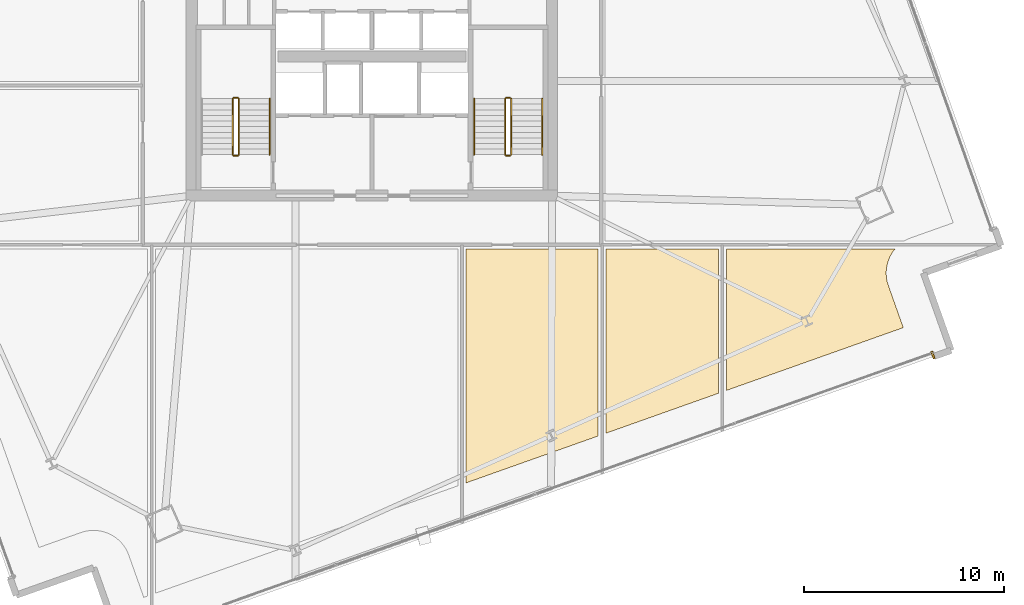
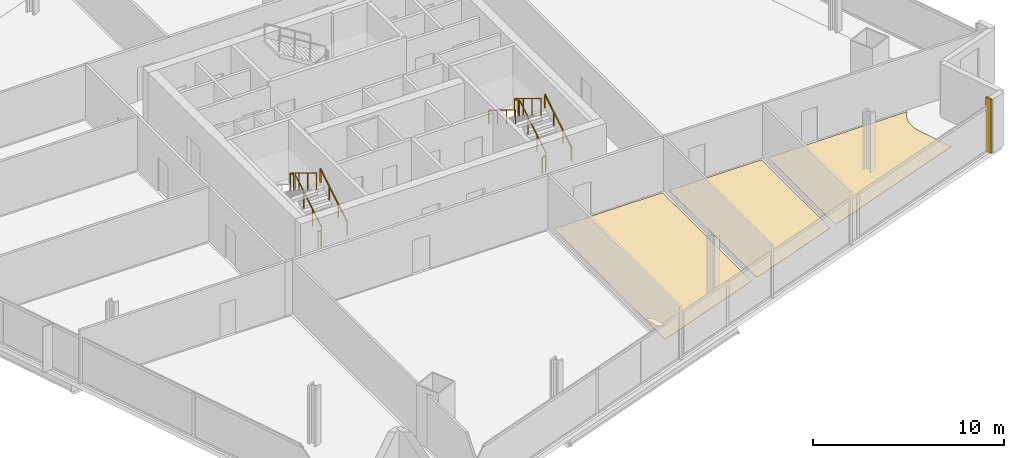
# One storey, part 30 of 33: 11 railings, 4 coverings.
"""IFC4 building model written with IfcOpenShell, lengths in metres."""

import ifcopenshell
import ifcopenshell.guid

model = None  # the IFC model being written
_history = None  # IfcOwnerHistory: only IFC2X3 demands one
_inside = {}  # id of a spatial element -> (the spatial element, [elements in it])
_under = {}  # id of a project, library or spatial element -> (it, [spatial elements below it])
_declared = {}  # id of a project -> (the project, [libraries it declares])
_typed = {}  # id of a type object -> (the type object, [elements of that type])
_made_of = {}  # id of a material, layer set ... -> (it, [elements and type objects made of it])


def new_model(schema):
    """Start an empty IFC model of exactly this schema.

    Asked for "IFC4X3", IfcOpenShell would pick the latest addendum, in which some entities
    have other attributes; the version numbers below select the first issue.
    IFC2X3 requires an IfcOwnerHistory on every rooted entity: one is made here for all.
    """
    global model, _history
    if schema == "IFC4X3":
        model = ifcopenshell.file(schema_version=(4, 3, 0, 0))
    else:
        model = ifcopenshell.file(schema=schema)
    _inside.clear()
    _under.clear()
    _declared.clear()
    _typed.clear()
    _made_of.clear()
    _history = None
    if model.schema == "IFC2X3":
        org = make("IfcOrganization", Name="unknown")
        user = make(
            "IfcPersonAndOrganization",
            ThePerson=make("IfcPerson", FamilyName="unknown"),
            TheOrganization=org,
        )
        app = make(
            "IfcApplication",
            ApplicationDeveloper=org,
            Version="unknown",
            ApplicationFullName="unknown",
            ApplicationIdentifier="unknown",
        )
        _history = make(
            "IfcOwnerHistory",
            OwningUser=user,
            OwningApplication=app,
            ChangeAction="ADDED",
            CreationDate=0,
        )
    return model


def make(cls, **values):
    """One entity of the class cls with the attributes given. An attribute that is None is left unset."""
    return model.create_entity(
        cls, **{name: value for name, value in values.items() if value is not None}
    )


def rooted(cls, **values):
    """An entity with a GlobalId (a new one), such as an element, a storey or a relation."""
    return make(cls, GlobalId=ifcopenshell.guid.new(), OwnerHistory=_history, **values)


def si_unit(unit_type, name, prefix=None):
    """IfcSIUnit, for example si_unit("LENGTHUNIT", "METRE", prefix="MILLI")."""
    return make("IfcSIUnit", UnitType=unit_type, Prefix=prefix, Name=name)


def assignment(units):
    """IfcUnitAssignment: the units of a project."""
    return None if units is None else make("IfcUnitAssignment", Units=units)


def point(xyz):
    """IfcCartesianPoint."""
    return None if xyz is None else make("IfcCartesianPoint", Coordinates=xyz)


def direction(xyz):
    """IfcDirection."""
    return None if xyz is None else make("IfcDirection", DirectionRatios=xyz)


def frame(location, z_axis=None, x_axis=None):
    """IfcAxis2Placement3D, a coordinate frame: its origin and axes. An axis left out is left unset."""
    return make(
        "IfcAxis2Placement3D",
        Location=point(location),
        Axis=direction(z_axis),
        RefDirection=direction(x_axis),
    )


def frame_2d(location, x_axis=None):
    """IfcAxis2Placement2D, a coordinate frame in the plane: its origin and x axis."""
    return make(
        "IfcAxis2Placement2D", Location=point(location), RefDirection=direction(x_axis)
    )


def origin():
    """The frame at (0, 0, 0) with its axes left unset."""
    return frame((0.0, 0.0, 0.0))


def origin_2d():
    """The frame at (0, 0) in the plane with its x axis left unset."""
    return frame_2d((0.0, 0.0))


def place(relative_to, where):
    """IfcLocalPlacement: puts the frame where relative to a parent placement (None: the world)."""
    return make(
        "IfcLocalPlacement", PlacementRelTo=relative_to, RelativePlacement=where
    )


def context(
    kind, dimensions, precision=None, world=None, true_north=None, identifier=None
):
    """IfcGeometricRepresentationContext, for example the 3D "Model" context."""
    return make(
        "IfcGeometricRepresentationContext",
        ContextIdentifier=identifier,
        ContextType=kind,
        CoordinateSpaceDimension=dimensions,
        Precision=precision,
        WorldCoordinateSystem=world,
        TrueNorth=true_north,
    )


def subcontext(parent, identifier, kind, view, scale=None):
    """IfcGeometricRepresentationSubContext, for example "Body" below "Model"."""
    return make(
        "IfcGeometricRepresentationSubContext",
        ContextIdentifier=identifier,
        ContextType=kind,
        ParentContext=parent,
        TargetScale=scale,
        TargetView=view,
    )


def project(units=None, contexts=None):
    """IfcProject with its units and contexts."""
    return rooted(
        "IfcProject",
        Name="project",
        RepresentationContexts=contexts,
        UnitsInContext=assignment(units),
    )


def spatial(cls, under=None, at=None, **own):
    """A site, building, storey or space (cls), placed at a placement, below another one or the project."""
    s = rooted(cls, ObjectPlacement=at, **own)
    if under is not None:
        _under.setdefault(under.id(), (under, []))[1].append(s)
    return s


def polyline(points):
    """IfcPolyline through the points."""
    return make("IfcPolyline", Points=[point(p) for p in points])


def profile(cls, at=None, kind="AREA", **sizes):
    """A parametric profile (cls). Its sizes go by their IFC names, for example OverallWidth=200.0."""
    return make(cls, ProfileType=kind, Position=at, **sizes)


def rectangle(**sizes):
    """IfcRectangleProfileDef."""
    return profile("IfcRectangleProfileDef", **sizes)


def outline(outer, holes=None, kind="AREA"):
    """IfcArbitraryClosedProfileDef: a profile drawn as a closed curve; with holes, ...WithVoids."""
    if holes is None:
        return make("IfcArbitraryClosedProfileDef", ProfileType=kind, OuterCurve=outer)
    return make(
        "IfcArbitraryProfileDefWithVoids",
        ProfileType=kind,
        OuterCurve=outer,
        InnerCurves=holes,
    )


def extrude(swept, where, along, depth):
    """IfcExtrudedAreaSolid: the profile swept, set in the frame where, extruded along a direction by depth."""
    return make(
        "IfcExtrudedAreaSolid",
        SweptArea=swept,
        Position=where,
        ExtrudedDirection=direction(along),
        Depth=depth,
    )


def shape(context_of_items, identifier, shape_type, items):
    """IfcShapeRepresentation: the items that make up one representation, for example the "Body"."""
    return make(
        "IfcShapeRepresentation",
        ContextOfItems=context_of_items,
        RepresentationIdentifier=identifier,
        RepresentationType=shape_type,
        Items=items,
    )


def source(mapping_origin, context_of_items, identifier, shape_type, items):
    """IfcRepresentationMap: a shape defined once, which mapped items show again and again."""
    return make(
        "IfcRepresentationMap",
        MappingOrigin=mapping_origin,
        MappedRepresentation=shape(context_of_items, identifier, shape_type, items),
    )


def transform(
    local_origin,
    x_axis=None,
    y_axis=None,
    z_axis=None,
    scale=None,
    scale2=None,
    scale3=None,
    uniform=True,
):
    """IfcCartesianTransformationOperator3D, or its non-uniform kind. x_axis, y_axis, z_axis: its Axis1, 2, 3."""
    if uniform:
        return make(
            "IfcCartesianTransformationOperator3D",
            Axis1=direction(x_axis),
            Axis2=direction(y_axis),
            LocalOrigin=point(local_origin),
            Scale=scale,
            Axis3=direction(z_axis),
        )
    return make(
        "IfcCartesianTransformationOperator3DnonUniform",
        Axis1=direction(x_axis),
        Axis2=direction(y_axis),
        LocalOrigin=point(local_origin),
        Scale=scale,
        Axis3=direction(z_axis),
        Scale2=scale2,
        Scale3=scale3,
    )


def mapped(mapping_source, mapping_target):
    """IfcMappedItem: shows the shape of a source again, moved by a transform."""
    return make(
        "IfcMappedItem", MappingSource=mapping_source, MappingTarget=mapping_target
    )


def material(Name=None, Category=None):
    """IfcMaterial."""
    return make("IfcMaterial", Name=Name, Category=Category)


def layer(
    of_material, thickness, ventilated=None, Name=None, Category=None, Priority=None
):
    """IfcMaterialLayer: one layer of a wall or slab, of a material (None: an air gap)."""
    return make(
        "IfcMaterialLayer",
        Material=of_material,
        LayerThickness=thickness,
        IsVentilated=ventilated,
        Name=Name,
        Category=Category,
        Priority=Priority,
    )


def layer_set(layers, Name=None):
    """IfcMaterialLayerSet."""
    return make("IfcMaterialLayerSet", MaterialLayers=layers, LayerSetName=Name)


def made_of(thing, what):
    """Note that an element or type object is made of a material, layer set ...; save() writes the relation."""
    if what is not None:
        _made_of.setdefault(what.id(), (what, []))[1].append(thing)
    return thing


def type_object(cls, material=None, **own):
    """A type object (cls), such as IfcWallType, which elements share."""
    return made_of(rooted(cls, **own), material)


def element(
    cls,
    number,
    at=None,
    inside=None,
    cuts=None,
    type_object=None,
    material=None,
    context=None,
    identifier="Body",
    shape_type=None,
    held_by="IfcProductDefinitionShape",
    body=None,
    shapes=None,
    **own,
):
    """One element of the class cls, such as IfcWall. Its Tag is "e" and its number.

    at: its placement. inside: the storey or other place that contains it. cuts: it is an
    opening in that element (IfcRelVoidsElement). A single representation is given by context,
    identifier, shape_type and body (its items); several are given by shapes. held_by: the class
    of the entity that holds the representations. save() writes the other relations.
    """
    e = rooted(cls, Tag="e%d" % number, ObjectPlacement=at, **own)
    if body is not None:
        shapes = [shape(context, identifier, shape_type, body)]
    if shapes is not None:
        e.Representation = make(held_by, Representations=shapes)
    if inside is not None:
        _inside.setdefault(inside.id(), (inside, []))[1].append(e)
    if cuts is not None:
        rooted(
            "IfcRelVoidsElement", RelatingBuildingElement=cuts, RelatedOpeningElement=e
        )
    if type_object is not None:
        _typed.setdefault(type_object.id(), (type_object, []))[1].append(e)
    return made_of(e, material)


def aggregate(whole, parts):
    """IfcRelAggregates: a whole, such as a stair, and the parts it consists of."""
    return rooted("IfcRelAggregates", RelatingObject=whole, RelatedObjects=parts)


def save(model, path):
    """Write the relations noted so far, then the file.

    IfcRelAggregates (storeys below a building ...), IfcRelContainedInSpatialStructure (elements
    in a storey), IfcRelDefinesByType, IfcRelAssociatesMaterial and IfcRelDeclares: one each for
    every whole, place, type object, material and project.
    """
    for whole, parts in _under.values():
        aggregate(whole, parts)
    for where, things in _inside.values():
        rooted(
            "IfcRelContainedInSpatialStructure",
            RelatedElements=things,
            RelatingStructure=where,
        )
    for kind, things in _typed.values():
        rooted("IfcRelDefinesByType", RelatedObjects=things, RelatingType=kind)
    for what, things in _made_of.values():
        rooted("IfcRelAssociatesMaterial", RelatedObjects=things, RelatingMaterial=what)
    for by, libraries in _declared.values():
        rooted("IfcRelDeclares", RelatingContext=by, RelatedDefinitions=libraries)
    model.write(path)


model = new_model("IFC4")

# Units and contexts
model_context = context("Model", 3, precision=1e-05, world=origin(), true_north=direction((0.0, 1.0)))
body_context = subcontext(model_context, "Body", "Model", "MODEL_VIEW")
ifc_project = project(units=[si_unit("LENGTHUNIT", "METRE"), si_unit("AREAUNIT", "SQUARE_METRE"), si_unit("VOLUMEUNIT", "CUBIC_METRE"), si_unit("PLANEANGLEUNIT", "RADIAN"), si_unit("MASSUNIT", "GRAM", prefix="KILO")], contexts=[model_context])

# Site, building, storey
site_placement = place(None, origin())
site = spatial("IfcSite", under=ifc_project, at=site_placement, CompositionType="ELEMENT")
building_placement = place(site_placement, origin())
building = spatial("IfcBuilding", under=site, at=building_placement, Name="Haldenkirk Collegiate Tower", CompositionType="ELEMENT")
storey_placement = place(building_placement, frame((0.0, 0.0, 94.199951171875)))
storey = spatial("IfcBuildingStorey", under=building, at=storey_placement, Name="L22", CompositionType="ELEMENT", Elevation=94.199951171875)

# Coverings
ifc_material_1 = material(Name="Polished collegiate terrazzo", Category="concrete")
ifc_layer_1 = layer(ifc_material_1, 0.02490234375)
ifc_layer_set_1 = layer_set([ifc_layer_1], Name="Polished collegiate terrazzo")
covering_type_1 = type_object("IfcCoveringType", Name="COV-FLOOR-TERRAZZO", PredefinedType="FLOORING", material=ifc_layer_set_1)
covering_1_placement = place(storey_placement, origin())
element("IfcCovering", 1, at=covering_1_placement, inside=storey, type_object=covering_type_1, Name="L22 academic room finish 04", PredefinedType="FLOORING", context=body_context, shape_type="SweptSolid", body=[
    extrude(outline(polyline([(47.699951171875, 6.140380859375), (47.699951171875, 15.35009765625), (53.300048828125, 15.35009765625), (53.300048828125, 8.12890625), (47.699951171875, 6.140380859375)])), origin(), (0.0, 0.0, 1.0), 0.025146484375),
])
ifc_material_2 = material(Name="Engineered collegiate oak acoustic flooring", Category="wood")
ifc_layer_2 = layer(ifc_material_2, 0.02197265625)
ifc_layer_set_2 = layer_set([ifc_layer_2], Name="Engineered collegiate oak acoustic flooring")
covering_type_2 = type_object("IfcCoveringType", Name="COV-FLOOR-TIMBER", PredefinedType="FLOORING", material=ifc_layer_set_2)
covering_2_placement = place(storey_placement, origin())
element("IfcCovering", 2, at=covering_2_placement, inside=storey, type_object=covering_type_2, Name="L22 academic room finish 03", PredefinedType="FLOORING", context=body_context, shape_type="SweptSolid", body=[
    extrude(outline(polyline([(40.699951171875, 3.654541015625), (40.699951171875, 15.35009765625), (47.300048828125, 15.35009765625), (47.300048828125, 5.998291015625), (40.699951171875, 3.654541015625)])), origin(), (0.0, 0.0, 1.0), 0.02197265625),
])
covering_3_placement = place(storey_placement, origin())
element("IfcCovering", 3, at=covering_3_placement, inside=storey, type_object=covering_type_2, Name="L22 academic room finish 05", PredefinedType="FLOORING", context=body_context, shape_type="SweptSolid", body=[
    extrude(outline(polyline([(62.13671875, 15.35009765625), (62.0625, 15.260009765625), (62.055419921875, 15.250732421875), (61.959716796875, 15.108154296875), (61.95361328125, 15.097900390625), (61.872314453125, 14.94677734375), (61.8671875, 14.93603515625), (61.801025390625, 14.777587890625), (61.797119140625, 14.7666015625), (61.746826171875, 14.602294921875), (61.743896484375, 14.5908203125), (61.710205078125, 14.422607421875), (61.708251953125, 14.410888671875), (61.69091796875, 14.239990234375), (61.6904296875, 14.228271484375), (61.68994140625, 14.056396484375), (61.6904296875, 14.044677734375), (61.706787109375, 13.873779296875), (61.70849609375, 13.8623046875), (61.74169921875, 13.693603515625), (61.74462890625, 13.68212890625), (61.794189453125, 13.517578125), (61.7958984375, 13.51220703125), (62.542236328125, 11.41064453125), (53.699951171875, 8.27099609375), (53.699951171875, 15.35009765625), (62.13671875, 15.35009765625)])), origin(), (0.0, 0.0, 1.0), 0.02197265625),
])

# Railings
ifc_material_3 = material(Name="Painted architectural tubular steel", Category="steel")
railing_type_1 = type_object("IfcRailingType", Name="RLG-STAIR-GUARD-1100", PredefinedType="BALUSTRADE", material=ifc_material_3)
railing_1_placement = place(storey_placement, frame((29.35009765625, 20.050048828125, 0.17041015625)))
element("IfcRailing", 4, at=railing_1_placement, inside=storey, type_object=railing_type_1, Name="L22 ST-1 stair guard 1", PredefinedType="BALUSTRADE", context=body_context, shape_type="SweptSolid", body=[
    extrude(rectangle(XDim=0.048095703125, YDim=0.048095703125, at=origin_2d()), frame((0.0, 0.0, 1.076171875), z_axis=(0.0, 0.854169791009, 0.51999420009), x_axis=(-1.0, 0.0, 0.0)), (0.0, 0.0, 1.0), 3.278076171875),
    extrude(rectangle(XDim=0.0419921875, YDim=0.0419921875, at=origin_2d()), origin(), (0.0, 0.0, 1.0), 1.052001953125),
    extrude(rectangle(XDim=0.0419921875, YDim=0.0419921875, at=origin_2d()), frame((0.0, 0.933349609375, 0.568115234375)), (0.0, 0.0, 1.0), 1.052001953125),
    extrude(rectangle(XDim=0.0419921875, YDim=0.0419921875, at=origin_2d()), frame((0.0, 1.86669921875, 1.136474609375)), (0.0, 0.0, 1.0), 1.052001953125),
    extrude(rectangle(XDim=0.0419921875, YDim=0.0419921875, at=origin_2d()), frame((0.0, 2.800048828125, 1.70458984375)), (0.0, 0.0, 1.0), 1.052001953125),
])
railing_2_placement = place(storey_placement, frame((29.300048828125, 22.89990234375, 1.875)))
element("IfcRailing", 5, at=railing_2_placement, inside=storey, type_object=railing_type_1, Name="L22 ST-1 stair guard 2", PredefinedType="BALUSTRADE", context=body_context, shape_type="SweptSolid", body=[
    extrude(rectangle(XDim=0.048095703125, YDim=0.048095703125, at=origin_2d()), frame((0.0, 0.0, 1.076171875), z_axis=(-1.0, 0.0, 0.0), x_axis=(0.0, -1.0, 0.0)), (0.0, 0.0, 1.0), 0.199951171875),
    extrude(rectangle(XDim=0.0419921875, YDim=0.0419921875, at=origin_2d()), origin(), (0.0, 0.0, 1.0), 1.052001953125),
    extrude(rectangle(XDim=0.0419921875, YDim=0.0419921875, at=origin_2d()), frame((-0.199951171875, 0.0, 0.0)), (0.0, 0.0, 1.0), 1.052001953125),
])
railing_3_placement = place(storey_placement, frame((29.050048828125, 22.85009765625, 2.04541015625)))
element("IfcRailing", 6, at=railing_3_placement, inside=storey, type_object=railing_type_1, Name="L22 ST-1 stair guard 3", PredefinedType="BALUSTRADE", context=body_context, shape_type="SweptSolid", body=[
    extrude(rectangle(XDim=0.048095703125, YDim=0.048095703125, at=origin_2d()), frame((0.0, 0.0, 1.076171875), z_axis=(0.0, -0.854169791009, 0.51999420009), x_axis=(1.0, 0.0, 0.0)), (0.0, 0.0, 1.0), 3.278076171875),
    extrude(rectangle(XDim=0.0419921875, YDim=0.0419921875, at=origin_2d()), origin(), (0.0, 0.0, 1.0), 1.052001953125),
    extrude(rectangle(XDim=0.0419921875, YDim=0.0419921875, at=origin_2d()), frame((0.0, -0.933349609375, 0.568115234375)), (0.0, 0.0, 1.0), 1.052001953125),
    extrude(rectangle(XDim=0.0419921875, YDim=0.0419921875, at=origin_2d()), frame((0.0, -1.86669921875, 1.136474609375)), (0.0, 0.0, 1.0), 1.052001953125),
    extrude(rectangle(XDim=0.0419921875, YDim=0.0419921875, at=origin_2d()), frame((0.0, -2.800048828125, 1.70458984375)), (0.0, 0.0, 1.0), 1.052001953125),
])
railing_4_placement = place(storey_placement, frame((29.300048828125, 20.0, 0.0)))
element("IfcRailing", 7, at=railing_4_placement, inside=storey, type_object=railing_type_1, Name="L22 ST-1 stair guard 4", PredefinedType="BALUSTRADE", context=body_context, shape_type="SweptSolid", body=[
    extrude(rectangle(XDim=0.048095703125, YDim=0.048095703125, at=origin_2d()), frame((0.0, 0.0, 1.076171875), z_axis=(-1.0, 0.0, 0.0), x_axis=(0.0, -1.0, 0.0)), (0.0, 0.0, 1.0), 0.199951171875),
    extrude(rectangle(XDim=0.0419921875, YDim=0.0419921875, at=origin_2d()), origin(), (0.0, 0.0, 1.0), 1.052001953125),
    extrude(rectangle(XDim=0.0419921875, YDim=0.0419921875, at=origin_2d()), frame((-0.199951171875, 0.0, 0.0)), (0.0, 0.0, 1.0), 1.052001953125),
])
railing_5_placement = place(storey_placement, frame((42.949951171875, 20.050048828125, 0.17041015625)))
element("IfcRailing", 8, at=railing_5_placement, inside=storey, type_object=railing_type_1, Name="L22 ST-2 stair guard 1", PredefinedType="BALUSTRADE", context=body_context, shape_type="SweptSolid", body=[
    extrude(rectangle(XDim=0.048095703125, YDim=0.048095703125, at=origin_2d()), frame((0.0, 0.0, 1.076171875), z_axis=(0.0, 0.854169791009, 0.51999420009), x_axis=(-1.0, 0.0, 0.0)), (0.0, 0.0, 1.0), 3.278076171875),
    extrude(rectangle(XDim=0.0419921875, YDim=0.0419921875, at=origin_2d()), origin(), (0.0, 0.0, 1.0), 1.052001953125),
    extrude(rectangle(XDim=0.0419921875, YDim=0.0419921875, at=origin_2d()), frame((0.0, 0.933349609375, 0.568115234375)), (0.0, 0.0, 1.0), 1.052001953125),
    extrude(rectangle(XDim=0.0419921875, YDim=0.0419921875, at=origin_2d()), frame((0.0, 1.86669921875, 1.136474609375)), (0.0, 0.0, 1.0), 1.052001953125),
    extrude(rectangle(XDim=0.0419921875, YDim=0.0419921875, at=origin_2d()), frame((0.0, 2.800048828125, 1.70458984375)), (0.0, 0.0, 1.0), 1.052001953125),
])
railing_6_placement = place(storey_placement, frame((42.89990234375, 22.89990234375, 1.875)))
element("IfcRailing", 9, at=railing_6_placement, inside=storey, type_object=railing_type_1, Name="L22 ST-2 stair guard 2", PredefinedType="BALUSTRADE", context=body_context, shape_type="SweptSolid", body=[
    extrude(rectangle(XDim=0.048095703125, YDim=0.048095703125, at=origin_2d()), frame((0.0, 0.0, 1.076171875), z_axis=(-1.0, 0.0, 0.0), x_axis=(0.0, -1.0, 0.0)), (0.0, 0.0, 1.0), 0.199951171875),
    extrude(rectangle(XDim=0.0419921875, YDim=0.0419921875, at=origin_2d()), origin(), (0.0, 0.0, 1.0), 1.052001953125),
    extrude(rectangle(XDim=0.0419921875, YDim=0.0419921875, at=origin_2d()), frame((-0.199951171875, 0.0, 0.0)), (0.0, 0.0, 1.0), 1.052001953125),
])
railing_7_placement = place(storey_placement, frame((42.64990234375, 22.85009765625, 2.04541015625)))
element("IfcRailing", 10, at=railing_7_placement, inside=storey, type_object=railing_type_1, Name="L22 ST-2 stair guard 3", PredefinedType="BALUSTRADE", context=body_context, shape_type="SweptSolid", body=[
    extrude(rectangle(XDim=0.048095703125, YDim=0.048095703125, at=origin_2d()), frame((0.0, 0.0, 1.076171875), z_axis=(0.0, -0.854169791009, 0.51999420009), x_axis=(1.0, 0.0, 0.0)), (0.0, 0.0, 1.0), 3.278076171875),
    extrude(rectangle(XDim=0.0419921875, YDim=0.0419921875, at=origin_2d()), origin(), (0.0, 0.0, 1.0), 1.052001953125),
    extrude(rectangle(XDim=0.0419921875, YDim=0.0419921875, at=origin_2d()), frame((0.0, -0.933349609375, 0.568115234375)), (0.0, 0.0, 1.0), 1.052001953125),
    extrude(rectangle(XDim=0.0419921875, YDim=0.0419921875, at=origin_2d()), frame((0.0, -1.86669921875, 1.136474609375)), (0.0, 0.0, 1.0), 1.052001953125),
    extrude(rectangle(XDim=0.0419921875, YDim=0.0419921875, at=origin_2d()), frame((0.0, -2.800048828125, 1.70458984375)), (0.0, 0.0, 1.0), 1.052001953125),
])
railing_8_placement = place(storey_placement, frame((42.89990234375, 20.0, 0.0)))
element("IfcRailing", 11, at=railing_8_placement, inside=storey, type_object=railing_type_1, Name="L22 ST-2 stair guard 4", PredefinedType="BALUSTRADE", context=body_context, shape_type="SweptSolid", body=[
    extrude(rectangle(XDim=0.048095703125, YDim=0.048095703125, at=origin_2d()), frame((0.0, 0.0, 1.076171875), z_axis=(-1.0, 0.0, 0.0), x_axis=(0.0, -1.0, 0.0)), (0.0, 0.0, 1.0), 0.199951171875),
    extrude(rectangle(XDim=0.0419921875, YDim=0.0419921875, at=origin_2d()), origin(), (0.0, 0.0, 1.0), 1.052001953125),
    extrude(rectangle(XDim=0.0419921875, YDim=0.0419921875, at=origin_2d()), frame((-0.199951171875, 0.0, 0.0)), (0.0, 0.0, 1.0), 1.052001953125),
])
railing_type_2 = type_object("IfcRailingType", Name="RLG-STAIR-HANDRAIL-900", PredefinedType="HANDRAIL", material=ifc_material_3)
for number, where, name in (
    (12, (30.89990234375, 20.050048828125, 0.17041015625), "L22 ST-1 stair handrail 1"),
    (13, (44.5, 20.050048828125, 0.17041015625), "L22 ST-2 stair handrail 1"),
):
    element("IfcRailing", number, at=place(storey_placement, frame(where)), inside=storey, type_object=railing_type_2, Name=name, PredefinedType="HANDRAIL", context=body_context, shape_type="SweptSolid", body=[
        extrude(rectangle(XDim=0.048095703125, YDim=0.048095703125, at=origin_2d()), frame((0.0, 0.0, 0.8759765625), z_axis=(0.0, 0.854169791009, 0.51999420009), x_axis=(-1.0, 0.0, 0.0)), (0.0, 0.0, 1.0), 3.278076171875),
        extrude(rectangle(XDim=0.0419921875, YDim=0.0419921875, at=origin_2d()), origin(), (0.0, 0.0, 1.0), 0.851806640625),
        extrude(rectangle(XDim=0.0419921875, YDim=0.0419921875, at=origin_2d()), frame((0.0, 0.933349609375, 0.568115234375)), (0.0, 0.0, 1.0), 0.851806640625),
        extrude(rectangle(XDim=0.0419921875, YDim=0.0419921875, at=origin_2d()), frame((0.0, 1.86669921875, 1.136474609375)), (0.0, 0.0, 1.0), 0.851806640625),
        extrude(rectangle(XDim=0.0419921875, YDim=0.0419921875, at=origin_2d()), frame((0.0, 2.800048828125, 1.70458984375)), (0.0, 0.0, 1.0), 0.851806640625),
    ])
railing_9_placement = place(storey_placement, frame((41.10009765625, 22.85009765625, 2.04541015625)))
element("IfcRailing", 14, at=railing_9_placement, inside=storey, type_object=railing_type_2, Name="L22 ST-2 stair handrail 2", PredefinedType="HANDRAIL", context=body_context, shape_type="SweptSolid", body=[
    extrude(rectangle(XDim=0.048095703125, YDim=0.048095703125, at=origin_2d()), frame((0.0, 0.0, 0.8759765625), z_axis=(0.0, -0.854169791009, 0.51999420009), x_axis=(1.0, 0.0, 0.0)), (0.0, 0.0, 1.0), 3.278076171875),
    extrude(rectangle(XDim=0.0419921875, YDim=0.0419921875, at=origin_2d()), origin(), (0.0, 0.0, 1.0), 0.851806640625),
    extrude(rectangle(XDim=0.0419921875, YDim=0.0419921875, at=origin_2d()), frame((0.0, -0.933349609375, 0.568115234375)), (0.0, 0.0, 1.0), 0.851806640625),
    extrude(rectangle(XDim=0.0419921875, YDim=0.0419921875, at=origin_2d()), frame((0.0, -1.86669921875, 1.136474609375)), (0.0, 0.0, 1.0), 0.851806640625),
    extrude(rectangle(XDim=0.0419921875, YDim=0.0419921875, at=origin_2d()), frame((0.0, -2.800048828125, 1.70458984375)), (0.0, 0.0, 1.0), 0.851806640625),
])

# Covering
ifc_material_4 = material(Name="Anodised architectural bronze aluminium", Category="aluminium")
ifc_layer_3 = layer(ifc_material_4, 0.06005859375)
ifc_layer_set_3 = layer_set([ifc_layer_3], Name="Anodised architectural bronze aluminium")
covering_type_3 = type_object("IfcCoveringType", Name="COV-CLAD-BRONZE-60", PredefinedType="CLADDING", material=ifc_layer_set_3)
shared_shape = source(origin(), body_context, "Body", "SweptSolid", [
    extrude(rectangle(XDim=0.10009765625, YDim=0.3798828125, at=origin_2d()), origin(), (0.0, 0.0, 1.0), 3.449951171875),
])
covering_4_placement = place(storey_placement, frame((64.023681640625, 10.0478515625, 0.0), z_axis=(0.0, 0.0, 1.0), x_axis=(-0.94234983076, -0.334629341909, 0.0)))
element("IfcCovering", 15, at=covering_4_placement, inside=storey, type_object=covering_type_3, Name="L22 recessed curtain-wall bronze jamb closure SJL", PredefinedType="CLADDING", context=body_context, shape_type="MappedRepresentation", body=[
    mapped(shared_shape, transform((0.0, 0.0, 0.0), x_axis=(1.0, 0.0, 0.0), y_axis=(0.0, 1.0, 0.0), z_axis=(0.0, 0.0, 1.0), scale=1.0)),
])

save(model, "model.ifc")
